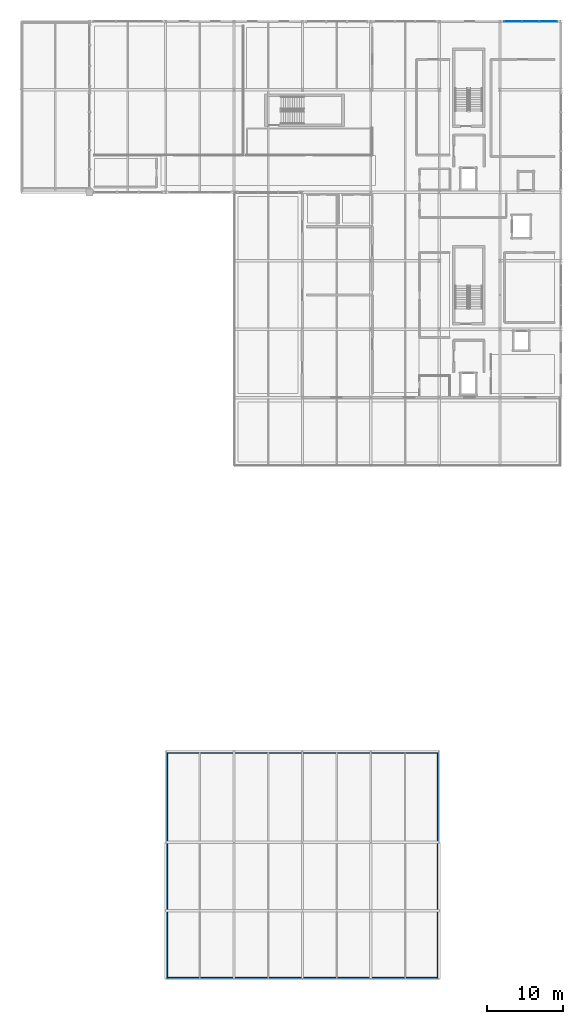
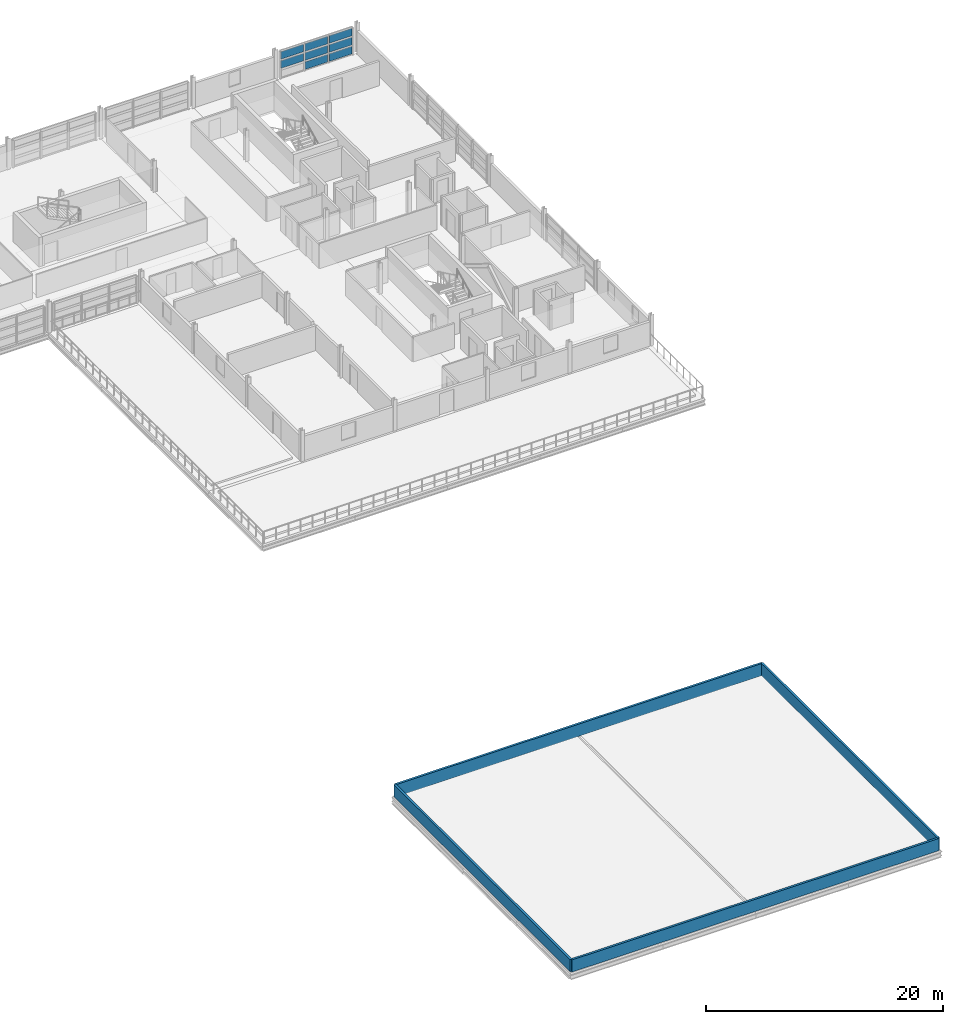
# One storey, part 21 of 30: 8 plates, 4 walls, 1 element without a shape of its own.
"""IFC4 building model written with IfcOpenShell, lengths in metres."""

from ifc_helpers import new_model, si_unit, direction, frame, frame_2d, origin, origin_2d, place, context, subcontext, project, spatial, rectangle, extrude, material, layer, layer_set, type_object, element, aggregate, save


model = new_model("IFC4")

# Units and contexts
model_context = context("Model", 3, precision=1e-05, world=origin(), true_north=direction((0.0, 1.0)))
body_context = subcontext(model_context, "Body", "Model", "MODEL_VIEW")
ifc_project = project(units=[si_unit("LENGTHUNIT", "METRE"), si_unit("AREAUNIT", "SQUARE_METRE"), si_unit("VOLUMEUNIT", "CUBIC_METRE"), si_unit("PLANEANGLEUNIT", "RADIAN"), si_unit("MASSUNIT", "GRAM", prefix="KILO")], contexts=[model_context])

# Site, building, storey
site_placement = place(None, origin())
site = spatial("IfcSite", under=ifc_project, at=site_placement, CompositionType="ELEMENT")
building_placement = place(site_placement, origin())
building = spatial("IfcBuilding", under=site, at=building_placement, Name="Chuanluo Vaults Station", CompositionType="ELEMENT")
storey_placement = place(building_placement, frame((0.0, 0.0, 17.60009765625)))
storey = spatial("IfcBuildingStorey", under=building, at=storey_placement, Name="L04", CompositionType="ELEMENT", Elevation=17.60009765625)

# Curtain wall, plates
ifc_material_1 = material(Name="Anodised aluminium 6063-T6", Category="aluminium")
curtain_wall_type = type_object("IfcCurtainWallType", Name="CW-SYS-19", PredefinedType="NOTDEFINED", material=ifc_material_1)
curtain_wall_placement = place(storey_placement, origin())
curtain_wall = element("IfcCurtainWall", 1, at=curtain_wall_placement, inside=storey, type_object=curtain_wall_type, Name="Operations L04 facade CW", PredefinedType="NOTDEFINED")
ifc_material_2 = material(Name="Ceramic-fritted spandrel glass", Category="glass")
ifc_layer_1 = layer(ifc_material_2, 0.06396484375)
ifc_layer_set_1 = layer_set([ifc_layer_1], Name="Ceramic-fritted spandrel glass")
plate_type_1 = type_object("IfcPlateType", Name="CWP-SPN-42", PredefinedType="SHEET", material=ifc_layer_set_1)
plate_1_placement = place(storey_placement, frame((184.0, 126.0, 0.080078125), z_axis=(0.0, 0.0, 1.0), x_axis=(1.0, 0.0, 0.0)))
plate_1 = element("IfcPlate", 2, at=plate_1_placement, type_object=plate_type_1, Name="Operations L04 facade CW glazed panel 2.1", PredefinedType="SHEET", context=body_context, shape_type="SweptSolid", body=[
    extrude(rectangle(XDim=2.18994140625, YDim=0.06396484375, at=origin_2d()), origin(), (0.0, 0.0, 1.0), 0.773193359375),
])
plate_2_placement = place(storey_placement, frame((186.35009765625, 126.0, 0.080078125), z_axis=(0.0, 0.0, 1.0), x_axis=(1.0, 0.0, 0.0)))
plate_2 = element("IfcPlate", 3, at=plate_2_placement, type_object=plate_type_1, Name="Operations L04 facade CW glazed panel 3.1", PredefinedType="SHEET", context=body_context, shape_type="SweptSolid", body=[
    extrude(rectangle(XDim=2.18994140625, YDim=0.06396484375, at=origin_2d()), origin(), (0.0, 0.0, 1.0), 0.773193359375),
])
ifc_material_3 = material(Name="Double-silver Low-E laminated glass", Category="glass")
ifc_layer_2 = layer(ifc_material_3, 0.048095703125)
ifc_layer_set_2 = layer_set([ifc_layer_2], Name="Double-silver Low-E laminated glass")
plate_type_2 = type_object("IfcPlateType", Name="CWP-VIS-32", PredefinedType="CURTAIN_PANEL", material=ifc_layer_set_2)
plate_3_placement = place(storey_placement, frame((181.64990234375, 126.0, 1.01318359375), z_axis=(0.0, 0.0, 1.0), x_axis=(1.0, 0.0, 0.0)))
plate_3 = element("IfcPlate", 4, at=plate_3_placement, type_object=plate_type_2, Name="Operations L04 facade CW glazed panel 1.2", PredefinedType="CURTAIN_PANEL", context=body_context, shape_type="SweptSolid", body=[
    extrude(rectangle(XDim=2.18994140625, YDim=0.048095703125, at=origin_2d()), origin(), (0.0, 0.0, 1.0), 0.7734375),
])
plate_4_placement = place(storey_placement, frame((181.64990234375, 126.0, 1.94677734375), z_axis=(0.0, 0.0, 1.0), x_axis=(1.0, 0.0, 0.0)))
plate_4 = element("IfcPlate", 5, at=plate_4_placement, type_object=plate_type_2, Name="Operations L04 facade CW glazed panel 1.3", PredefinedType="CURTAIN_PANEL", context=body_context, shape_type="SweptSolid", body=[
    extrude(rectangle(XDim=2.18994140625, YDim=0.048095703125, at=origin_2d()), origin(), (0.0, 0.0, 1.0), 0.773193359375),
])
plate_5_placement = place(storey_placement, frame((184.0, 126.0, 1.01318359375), z_axis=(0.0, 0.0, 1.0), x_axis=(1.0, 0.0, 0.0)))
plate_5 = element("IfcPlate", 6, at=plate_5_placement, type_object=plate_type_2, Name="Operations L04 facade CW glazed panel 2.2", PredefinedType="CURTAIN_PANEL", context=body_context, shape_type="SweptSolid", body=[
    extrude(rectangle(XDim=2.18994140625, YDim=0.048095703125, at=origin_2d()), origin(), (0.0, 0.0, 1.0), 0.7734375),
])
plate_6_placement = place(storey_placement, frame((184.0, 126.0, 1.94677734375), z_axis=(0.0, 0.0, 1.0), x_axis=(1.0, 0.0, 0.0)))
plate_6 = element("IfcPlate", 7, at=plate_6_placement, type_object=plate_type_2, Name="Operations L04 facade CW glazed panel 2.3", PredefinedType="CURTAIN_PANEL", context=body_context, shape_type="SweptSolid", body=[
    extrude(rectangle(XDim=2.18994140625, YDim=0.048095703125, at=origin_2d()), origin(), (0.0, 0.0, 1.0), 0.773193359375),
])
plate_7_placement = place(storey_placement, frame((186.35009765625, 126.0, 1.01318359375), z_axis=(0.0, 0.0, 1.0), x_axis=(1.0, 0.0, 0.0)))
plate_7 = element("IfcPlate", 8, at=plate_7_placement, type_object=plate_type_2, Name="Operations L04 facade CW glazed panel 3.2", PredefinedType="CURTAIN_PANEL", context=body_context, shape_type="SweptSolid", body=[
    extrude(rectangle(XDim=2.18994140625, YDim=0.048095703125, at=origin_2d()), origin(), (0.0, 0.0, 1.0), 0.7734375),
])
plate_8_placement = place(storey_placement, frame((186.35009765625, 126.0, 1.94677734375), z_axis=(0.0, 0.0, 1.0), x_axis=(1.0, 0.0, 0.0)))
plate_8 = element("IfcPlate", 9, at=plate_8_placement, type_object=plate_type_2, Name="Operations L04 facade CW glazed panel 3.3", PredefinedType="CURTAIN_PANEL", context=body_context, shape_type="SweptSolid", body=[
    extrude(rectangle(XDim=2.18994140625, YDim=0.048095703125, at=origin_2d()), origin(), (0.0, 0.0, 1.0), 0.773193359375),
])
aggregate(curtain_wall, [plate_3, plate_4, plate_1, plate_5, plate_6, plate_2, plate_7, plate_8])

# Walls
ifc_material_4 = material(Name="Concrete C40", Category="concrete")
ifc_layer_3 = layer(ifc_material_4, 0.2099609375)
ifc_layer_set_3 = layer_set([ifc_layer_3], Name="Concrete C40")
wall_type = type_object("IfcWallType", Name="WL-PAR-210", PredefinedType="PARAPET", material=ifc_layer_set_3)
wall_1_placement = place(storey_placement, frame((136.14990234375, 0.14990234375, 0.0), z_axis=(0.0, 0.0, 1.0), x_axis=(1.0, 0.0, 0.0)))
element("IfcWall", 10, at=wall_1_placement, inside=storey, type_object=wall_type, Name="L04 roof parapet wall 09", PredefinedType="PARAPET", context=body_context, shape_type="SweptSolid", body=[
    extrude(rectangle(XDim=35.7001953125, YDim=0.2099609375, at=frame_2d((17.85009765625, 0.0))), origin(), (0.0, 0.0, 1.0), 1.25),
])
for number, where, z_axis, x_axis, name in (
    (11, (136.14990234375, 0.14990234375, 0.0), (0.0, 0.0, 1.0), (0.0, 1.0, 0.0), "L04 roof parapet wall 10"),
    (12, (171.85009765625, 0.14990234375, 0.0), (0.0, 0.0, 1.0), (0.0, 1.0, 0.0), "L04 roof parapet wall 11"),
):
    element("IfcWall", number, at=place(storey_placement, frame(where, z_axis=z_axis, x_axis=x_axis)), inside=storey, type_object=wall_type, Name=name, PredefinedType="PARAPET", context=body_context, shape_type="SweptSolid", body=[
        extrude(rectangle(XDim=29.7001953125, YDim=0.2099609375, at=frame_2d((14.85009765625, 0.0))), origin(), (0.0, 0.0, 1.0), 1.25),
    ])
wall_2_placement = place(storey_placement, frame((136.14990234375, 29.85009765625, 0.0), z_axis=(0.0, 0.0, 1.0), x_axis=(1.0, 0.0, 0.0)))
element("IfcWall", 13, at=wall_2_placement, inside=storey, type_object=wall_type, Name="L04 roof parapet wall 12", PredefinedType="PARAPET", context=body_context, shape_type="SweptSolid", body=[
    extrude(rectangle(XDim=35.7001953125, YDim=0.2099609375, at=frame_2d((17.85009765625, 0.0))), origin(), (0.0, 0.0, 1.0), 1.25),
])

save(model, "model.ifc")
